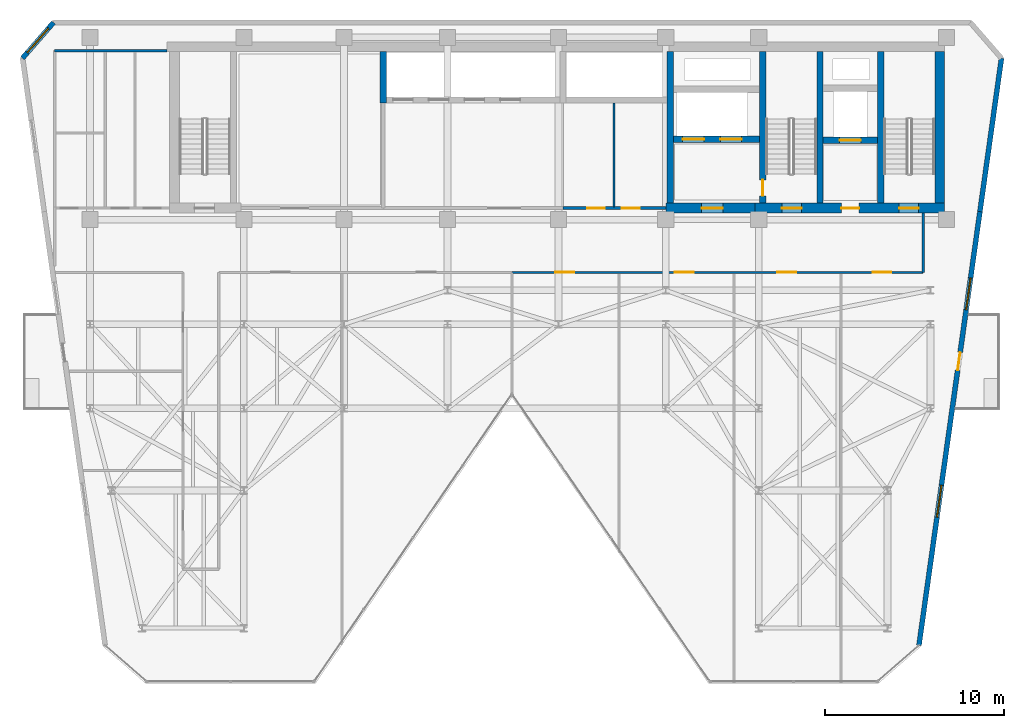
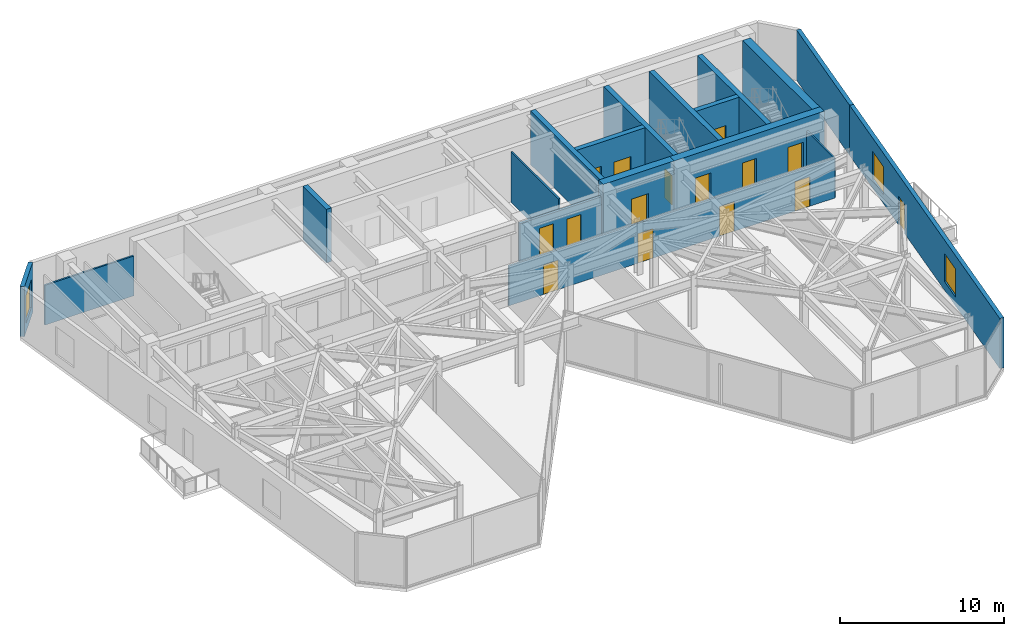
# One storey, part 17 of 21: 18 walls, 15 doors, 3 windows, 18 openings.
"""IFC4 building model written with IfcOpenShell, lengths in metres."""

from ifc_helpers import new_model, si_unit, direction, frame, frame_2d, origin, place, context, subcontext, project, spatial, rectangle, extrude, material, layer, layer_set, type_object, element, fill, save


model = new_model("IFC4")

# Units and contexts
model_context = context("Model", 3, precision=1e-05, world=origin(), true_north=direction((0.0, 1.0)))
body_context = subcontext(model_context, "Body", "Model", "MODEL_VIEW")
ifc_project = project(units=[si_unit("LENGTHUNIT", "METRE"), si_unit("AREAUNIT", "SQUARE_METRE"), si_unit("VOLUMEUNIT", "CUBIC_METRE"), si_unit("PLANEANGLEUNIT", "RADIAN"), si_unit("MASSUNIT", "GRAM", prefix="KILO")], contexts=[model_context])

# Site, building, storey
site_placement = place(None, origin())
site = spatial("IfcSite", under=ifc_project, at=site_placement, CompositionType="ELEMENT")
building_placement = place(site_placement, origin())
building = spatial("IfcBuilding", under=site, at=building_placement, Name="Kravanh Interchange Tower", CompositionType="ELEMENT")
storey_placement = place(building_placement, frame((0.0, 0.0, 216.5)))
storey = spatial("IfcBuildingStorey", under=building, at=storey_placement, Name="L52", CompositionType="ELEMENT", Elevation=216.5)

# Walls
ifc_material_1 = material(Name="Double Acoustic Gypsum Board and Mineral Wool")
ifc_layer_1 = layer(ifc_material_1, 0.1201171875)
ifc_layer_set_1 = layer_set([ifc_layer_1], Name="Acoustic Office Drywall Partition 120mm")
wall_type_1 = type_object("IfcWallType", Name="Acoustic Office Drywall Partition 120mm", PredefinedType="PARTITIONING", material=ifc_layer_set_1)
wall_1_placement = place(storey_placement, frame((47.89990234375, 38.068115234375, 0.0), z_axis=(0.0, 0.0, 1.0), x_axis=(0.0, 1.0, 0.0)))
element("IfcWall", 1, at=wall_1_placement, inside=storey, type_object=wall_type_1, Name="L52 Interior Partition 2", PredefinedType="PARTITIONING", context=body_context, shape_type="SweptSolid", body=[
    extrude(rectangle(XDim=5.798828125, YDim=0.1201171875, at=frame_2d((2.8994140625, 0.0))), origin(), (0.0, 0.0, 1.0), 3.7451171875),
])
wall_2_placement = place(storey_placement, frame((16.6201171875, 46.800048828125, 0.0), z_axis=(0.0, 0.0, 1.0), x_axis=(1.0, 0.0, 0.0)))
element("IfcWall", 2, at=wall_2_placement, inside=storey, type_object=wall_type_1, Name="L52 Restroom North Enclosure 8", PredefinedType="PARTITIONING", context=body_context, shape_type="SweptSolid", body=[
    extrude(rectangle(XDim=6.27978515625, YDim=0.1201171875, at=frame_2d((3.139892578125, 0.0))), origin(), (0.0, 0.0, 1.0), 2.971923828125),
])

# Wall, openings, doors
wall_3_placement = place(storey_placement, frame((42.199951171875, 34.39990234375, 0.0), z_axis=(0.0, 0.0, 1.0), x_axis=(1.0, 0.0, 0.0)))
wall_3 = element("IfcWall", 3, at=wall_3_placement, inside=storey, type_object=wall_type_1, Name="L52 Interior Partition 14", PredefinedType="PARTITIONING", context=body_context, shape_type="SweptSolid", body=[
    extrude(rectangle(XDim=23.0, YDim=0.1201171875, at=frame_2d((11.5, 0.0))), origin(), (0.0, 0.0, 1.0), 2.971923828125),
])
opening_1_placement = place(wall_3_placement, frame((2.4248046875, 0.0, 0.0)))
opening_1 = element("IfcOpeningElement", 4, at=opening_1_placement, cuts=wall_3, Name="Opening D-105", PredefinedType="OPENING", context=body_context, shape_type="SweptSolid", body=[
    extrude(rectangle(XDim=1.050048828125, YDim=2.199951171875, at=frame_2d((0.52490234375, 1.10009765625))), frame((0.0, 0.070068359375, 0.0), z_axis=(0.0, -1.0, 0.0), x_axis=(1.0, 0.0, 0.0)), (0.0, 0.0, 1.0), 0.14013671875),
])
opening_2_placement = place(wall_3_placement, frame((9.115966796875, 0.0, 0.0)))
opening_2 = element("IfcOpeningElement", 5, at=opening_2_placement, cuts=wall_3, Name="Opening D-105", PredefinedType="OPENING", context=body_context, shape_type="SweptSolid", body=[
    extrude(rectangle(XDim=1.050048828125, YDim=2.199951171875, at=frame_2d((0.52490234375, 1.10009765625))), frame((0.0, 0.070068359375, 0.0), z_axis=(0.0, -1.0, 0.0), x_axis=(1.0, 0.0, 0.0)), (0.0, 0.0, 1.0), 0.14013671875),
])
opening_3_placement = place(wall_3_placement, frame((14.8447265625, 0.0, 0.0)))
opening_3 = element("IfcOpeningElement", 6, at=opening_3_placement, cuts=wall_3, Name="Opening D-105", PredefinedType="OPENING", context=body_context, shape_type="SweptSolid", body=[
    extrude(rectangle(XDim=1.050048828125, YDim=2.199951171875, at=frame_2d((0.52490234375, 1.10009765625))), frame((0.0, 0.070068359375, 0.0), z_axis=(0.0, -1.0, 0.0), x_axis=(1.0, 0.0, 0.0)), (0.0, 0.0, 1.0), 0.14013671875),
])
opening_4_placement = place(wall_3_placement, frame((20.175048828125, 0.0, 0.0)))
opening_4 = element("IfcOpeningElement", 7, at=opening_4_placement, cuts=wall_3, Name="Opening D-105", PredefinedType="OPENING", context=body_context, shape_type="SweptSolid", body=[
    extrude(rectangle(XDim=1.050048828125, YDim=2.199951171875, at=frame_2d((0.52490234375, 1.10009765625))), frame((0.0, 0.070068359375, 0.0), z_axis=(0.0, -1.0, 0.0), x_axis=(1.0, 0.0, 0.0)), (0.0, 0.0, 1.0), 0.14013671875),
])
ifc_material_2 = material(Name="Acoustic Glazed Oak and Aluminium", Category="aluminium")
door_type_1 = type_object("IfcDoorType", Name="Office Workplace Door 1050x2200", OperationType="NOTDEFINED", PredefinedType="DOOR", material=ifc_material_2)
door_1_placement = place(opening_1_placement, origin())
door_1 = element("IfcDoor", 8, at=door_1_placement, inside=storey, type_object=door_type_1, Name="L52 Partner Office 14B Door", OperationType="SINGLE_SWING_RIGHT", OverallHeight=2.199951171875, OverallWidth=1.050048828125, PredefinedType="DOOR", context=body_context, shape_type="SweptSolid", body=[
    extrude(rectangle(XDim=1.050048828125, YDim=2.199951171875, at=frame_2d((0.52490234375, 1.10009765625))), frame((0.0, 0.02490234375, 0.0), z_axis=(0.0, -1.0, 0.0), x_axis=(1.0, 0.0, 0.0)), (0.0, 0.0, 1.0), 0.050048828125),
])
fill(opening_1, door_1)
door_2_placement = place(opening_2_placement, origin())
door_2 = element("IfcDoor", 9, at=door_2_placement, inside=storey, type_object=door_type_1, Name="L52 Focus Study 14A Door", OperationType="SINGLE_SWING_LEFT", OverallHeight=2.199951171875, OverallWidth=1.050048828125, PredefinedType="DOOR", context=body_context, shape_type="SweptSolid", body=[
    extrude(rectangle(XDim=1.050048828125, YDim=2.199951171875, at=frame_2d((0.52490234375, 1.10009765625))), frame((0.0, 0.02490234375, 0.0), z_axis=(0.0, -1.0, 0.0), x_axis=(1.0, 0.0, 0.0)), (0.0, 0.0, 1.0), 0.050048828125),
])
fill(opening_2, door_2)
door_3_placement = place(opening_3_placement, origin())
door_3 = element("IfcDoor", 10, at=door_3_placement, inside=storey, type_object=door_type_1, Name="L52 East Balcony Office 14C Door", OperationType="SINGLE_SWING_RIGHT", OverallHeight=2.199951171875, OverallWidth=1.050048828125, PredefinedType="DOOR", context=body_context, shape_type="SweptSolid", body=[
    extrude(rectangle(XDim=1.050048828125, YDim=2.199951171875, at=frame_2d((0.52490234375, 1.10009765625))), frame((0.0, 0.02490234375, 0.0), z_axis=(0.0, -1.0, 0.0), x_axis=(1.0, 0.0, 0.0)), (0.0, 0.0, 1.0), 0.050048828125),
])
fill(opening_3, door_3)
door_4_placement = place(opening_4_placement, origin())
door_4 = element("IfcDoor", 11, at=door_4_placement, inside=storey, type_object=door_type_1, Name="L52 East Pantry Kitchenette Door", OperationType="SINGLE_SWING_LEFT", OverallHeight=2.199951171875, OverallWidth=1.050048828125, PredefinedType="DOOR", context=body_context, shape_type="SweptSolid", body=[
    extrude(rectangle(XDim=1.050048828125, YDim=2.199951171875, at=frame_2d((0.52490234375, 1.10009765625))), frame((0.0, 0.02490234375, 0.0), z_axis=(0.0, -1.0, 0.0), x_axis=(1.0, 0.0, 0.0)), (0.0, 0.0, 1.0), 0.050048828125),
])
fill(opening_4, door_4)

# Walls
wall_4_placement = place(storey_placement, frame((65.199951171875, 34.39990234375, 0.0), z_axis=(0.0, 0.0, 1.0), x_axis=(0.0, 1.0, 0.0)))
element("IfcWall", 12, at=wall_4_placement, inside=storey, type_object=wall_type_1, Name="L52 Interior Partition 16", PredefinedType="PARTITIONING", context=body_context, shape_type="SweptSolid", body=[
    extrude(rectangle(XDim=3.317138671875, YDim=0.1201171875, at=frame_2d((1.65869140625, 0.0))), origin(), (0.0, 0.0, 1.0), 2.971923828125),
])
ifc_material_3 = material(Name="Concrete C60/75", Category="concrete")
ifc_layer_2 = layer(ifc_material_3, 0.35009765625)
ifc_layer_set_2 = layer_set([ifc_layer_2], Name="Core Shear Wall Concrete C60/75 350mm")
wall_type_2 = type_object("IfcWallType", Name="Core Shear Wall Concrete C60/75 350mm", PredefinedType="SHEAR", material=ifc_layer_set_2)
for number, where, z_axis, x_axis, name in (
    (13, (62.824951171875, 38.27490234375, 0.0), (0.0, 0.0, 1.0), (0.0, 1.0, 0.0), "L52 Stair ST1 West Shear Wall"),
    (14, (59.425048828125, 38.27490234375, 0.0), (0.0, 0.0, 1.0), (0.0, 1.0, 0.0), "L52 Stair ST2 East Shear Wall"),
):
    element("IfcWall", number, at=place(storey_placement, frame(where, z_axis=z_axis, x_axis=x_axis)), inside=storey, type_object=wall_type_2, Name=name, PredefinedType="SHEAR", context=body_context, shape_type="SweptSolid", body=[
        extrude(rectangle(XDim=8.47509765625, YDim=0.35009765625, at=frame_2d((4.237548828125, 0.0))), origin(), (0.0, 0.0, 1.0), 4.0),
    ])

# Wall, opening, door
wall_5_placement = place(storey_placement, frame((56.22509765625, 38.27490234375, 0.0), z_axis=(0.0, 0.0, 1.0), x_axis=(0.0, 1.0, 0.0)))
wall_5 = element("IfcWall", 15, at=wall_5_placement, inside=storey, type_object=wall_type_2, Name="L52 Stair ST2 West Shear Wall", PredefinedType="SHEAR", context=body_context, shape_type="SweptSolid", body=[
    extrude(rectangle(XDim=8.47509765625, YDim=0.35009765625, at=frame_2d((4.237548828125, 0.0))), origin(), (0.0, 0.0, 1.0), 4.0),
])
opening_5_placement = place(wall_5_placement, frame((0.405029296875, 0.0, 0.0)))
opening_5 = element("IfcOpeningElement", 16, at=opening_5_placement, cuts=wall_5, Name="Opening D-STAIR-90", PredefinedType="OPENING", context=body_context, shape_type="SweptSolid", body=[
    extrude(rectangle(XDim=0.89990234375, YDim=2.14990234375, at=frame_2d((0.449951171875, 1.074951171875))), frame((0.0, 0.18505859375, 0.0), z_axis=(0.0, -1.0, 0.0), x_axis=(1.0, 0.0, 0.0)), (0.0, 0.0, 1.0), 0.3701171875),
])
ifc_material_4 = material(Name="Structural Steel S355", Category="steel")
door_type_2 = type_object("IfcDoorType", Name="Fire-Rated Stair Lobby Door 900x2150", OperationType="NOTDEFINED", PredefinedType="DOOR", material=ifc_material_4)
door_5_placement = place(opening_5_placement, origin())
door_5 = element("IfcDoor", 17, at=door_5_placement, inside=storey, type_object=door_type_2, Name="L52 Firefighting Lobby to Stair ST2 Door", OperationType="SINGLE_SWING_LEFT", OverallHeight=2.14990234375, OverallWidth=0.89990234375, PredefinedType="DOOR", context=body_context, shape_type="SweptSolid", body=[
    extrude(rectangle(XDim=0.89990234375, YDim=2.14990234375, at=frame_2d((0.449951171875, 1.074951171875))), frame((0.0, 0.02490234375, 0.0), z_axis=(0.0, -1.0, 0.0), x_axis=(1.0, 0.0, 0.0)), (0.0, 0.0, 1.0), 0.050048828125),
])
fill(opening_5, door_5)

wall_6_placement = place(storey_placement, frame((59.60009765625, 41.800048828125, 0.0), z_axis=(0.0, 0.0, 1.0), x_axis=(1.0, 0.0, 0.0)))
wall_6 = element("IfcWall", 18, at=wall_6_placement, inside=storey, type_object=wall_type_2, Name="L52 Service Lift Shaft South Wall", PredefinedType="SHEAR", context=body_context, shape_type="SweptSolid", body=[
    extrude(rectangle(XDim=3.0498046875, YDim=0.35009765625, at=frame_2d((1.52490234375, 0.0))), origin(), (0.0, 0.0, 1.0), 4.0),
])
opening_6_placement = place(wall_6_placement, frame((0.919921875, 0.0, 0.0)))
opening_6 = element("IfcOpeningElement", 19, at=opening_6_placement, cuts=wall_6, Name="Opening LD02", PredefinedType="OPENING", context=body_context, shape_type="SweptSolid", body=[
    extrude(rectangle(XDim=1.199951171875, YDim=2.199951171875, at=frame_2d((0.60009765625, 1.10009765625))), frame((0.0, 0.18505859375, 0.0), z_axis=(0.0, -1.0, 0.0), x_axis=(1.0, 0.0, 0.0)), (0.0, 0.0, 1.0), 0.3701171875),
])
ifc_material_5 = material(Name="Stainless Steel 316", Category="steel")
door_type_3 = type_object("IfcDoorType", Name="Fire and Service Lift Sliding Landing Door 1200x2200", OperationType="DOUBLE_DOOR_SLIDING", PredefinedType="DOOR", material=ifc_material_5)
door_6_placement = place(opening_6_placement, origin())
door_6 = element("IfcDoor", 20, at=door_6_placement, inside=storey, type_object=door_type_3, Name="L52 Lift LS-01 Landing Door", OperationType="DOUBLE_DOOR_SLIDING", OverallHeight=2.199951171875, OverallWidth=1.199951171875, PredefinedType="DOOR", context=body_context, shape_type="SweptSolid", body=[
    extrude(rectangle(XDim=1.199951171875, YDim=2.199951171875, at=frame_2d((0.60009765625, 1.10009765625))), frame((0.0, 0.02490234375, 0.0), z_axis=(0.0, -1.0, 0.0), x_axis=(1.0, 0.0, 0.0)), (0.0, 0.0, 1.0), 0.050048828125),
])
fill(opening_6, door_6)

# Wall, openings, doors
wall_7_placement = place(storey_placement, frame((51.22509765625, 41.85009765625, 0.0), z_axis=(0.0, 0.0, 1.0), x_axis=(1.0, 0.0, 0.0)))
wall_7 = element("IfcWall", 21, at=wall_7_placement, inside=storey, type_object=wall_type_2, Name="L52 Fire Lift Shaft South Wall", PredefinedType="SHEAR", context=body_context, shape_type="SweptSolid", body=[
    extrude(rectangle(XDim=4.824951171875, YDim=0.35009765625, at=frame_2d((2.41259765625, 0.0))), origin(), (0.0, 0.0, 1.0), 4.0),
])
opening_7_placement = place(wall_7_placement, frame((0.52490234375, 0.0, 0.0)))
opening_7 = element("IfcOpeningElement", 22, at=opening_7_placement, cuts=wall_7, Name="Opening LD02", PredefinedType="OPENING", context=body_context, shape_type="SweptSolid", body=[
    extrude(rectangle(XDim=1.199951171875, YDim=2.199951171875, at=frame_2d((0.60009765625, 1.10009765625))), frame((0.0, 0.18505859375, 0.0), z_axis=(0.0, -1.0, 0.0), x_axis=(1.0, 0.0, 0.0)), (0.0, 0.0, 1.0), 0.3701171875),
])
opening_8_placement = place(wall_7_placement, frame((2.625, 0.0, 0.0)))
opening_8 = element("IfcOpeningElement", 23, at=opening_8_placement, cuts=wall_7, Name="Opening LD02", PredefinedType="OPENING", context=body_context, shape_type="SweptSolid", body=[
    extrude(rectangle(XDim=1.199951171875, YDim=2.199951171875, at=frame_2d((0.60009765625, 1.10009765625))), frame((0.0, 0.18505859375, 0.0), z_axis=(0.0, -1.0, 0.0), x_axis=(1.0, 0.0, 0.0)), (0.0, 0.0, 1.0), 0.3701171875),
])
door_7_placement = place(opening_7_placement, origin())
door_7 = element("IfcDoor", 24, at=door_7_placement, inside=storey, type_object=door_type_3, Name="L52 Lift FSAE-01 Landing Door", OperationType="DOUBLE_DOOR_SLIDING", OverallHeight=2.199951171875, OverallWidth=1.199951171875, PredefinedType="DOOR", context=body_context, shape_type="SweptSolid", body=[
    extrude(rectangle(XDim=1.199951171875, YDim=2.199951171875, at=frame_2d((0.60009765625, 1.10009765625))), frame((0.0, 0.02490234375, 0.0), z_axis=(0.0, -1.0, 0.0), x_axis=(1.0, 0.0, 0.0)), (0.0, 0.0, 1.0), 0.050048828125),
])
fill(opening_7, door_7)
door_8_placement = place(opening_8_placement, origin())
door_8 = element("IfcDoor", 25, at=door_8_placement, inside=storey, type_object=door_type_3, Name="L52 Lift FSAE-02 Landing Door", OperationType="DOUBLE_DOOR_SLIDING", OverallHeight=2.199951171875, OverallWidth=1.199951171875, PredefinedType="DOOR", context=body_context, shape_type="SweptSolid", body=[
    extrude(rectangle(XDim=1.199951171875, YDim=2.199951171875, at=frame_2d((0.60009765625, 1.10009765625))), frame((0.0, 0.02490234375, 0.0), z_axis=(0.0, -1.0, 0.0), x_axis=(1.0, 0.0, 0.0)), (0.0, 0.0, 1.0), 0.050048828125),
])
fill(opening_8, door_8)

# Walls
wall_8_placement = place(storey_placement, frame((51.050048828125, 38.27490234375, 0.0), z_axis=(0.0, 0.0, 1.0), x_axis=(0.0, 1.0, 0.0)))
element("IfcWall", 26, at=wall_8_placement, inside=storey, type_object=wall_type_2, Name="L52 Firefighting Lobby West Wall", PredefinedType="SHEAR", context=body_context, shape_type="SweptSolid", body=[
    extrude(rectangle(XDim=8.47509765625, YDim=0.35009765625, at=frame_2d((4.237548828125, 0.0))), origin(), (0.0, 0.0, 1.0), 4.0),
])
wall_9_placement = place(storey_placement, frame((35.0, 43.875, 0.0), z_axis=(0.0, 0.0, 1.0), x_axis=(0.0, 1.0, 0.0)))
element("IfcWall", 27, at=wall_9_placement, inside=storey, type_object=wall_type_2, Name="L52 Mid-Rise Lift Shaft West Wall", PredefinedType="SHEAR", context=body_context, shape_type="SweptSolid", body=[
    extrude(rectangle(XDim=2.875, YDim=0.35009765625, at=frame_2d((1.4375, 0.0))), origin(), (0.0, 0.0, 1.0), 4.0),
])

# Wall, openings, doors
ifc_material_6 = material(Name="Concrete C70/85", Category="concrete")
ifc_layer_3 = layer(ifc_material_6, 0.550048828125)
ifc_layer_set_3 = layer_set([ifc_layer_3], Name="Core Shear Wall Concrete C70/85 550mm")
wall_type_3 = type_object("IfcWallType", Name="Core Shear Wall Concrete C70/85 550mm", PredefinedType="SHEAR", material=ifc_layer_set_3)
wall_10_placement = place(storey_placement, frame((55.800048828125, 38.0, 0.0), z_axis=(0.0, 0.0, 1.0), x_axis=(1.0, 0.0, 0.0)))
wall_10 = element("IfcWall", 28, at=wall_10_placement, inside=storey, type_object=wall_type_3, Name="L52 East Core South Shear Wall", PredefinedType="SHEAR", context=body_context, shape_type="SweptSolid", body=[
    extrude(rectangle(XDim=10.599853515625, YDim=0.550048828125, at=frame_2d((5.2998046875, 0.0))), origin(), (0.0, 0.0, 1.0), 4.0),
])
opening_9_placement = place(wall_10_placement, frame((1.5, 0.0, 0.0)))
opening_9 = element("IfcOpeningElement", 29, at=opening_9_placement, cuts=wall_10, Name="Opening D-STAIR-110", PredefinedType="OPENING", context=body_context, shape_type="SweptSolid", body=[
    extrude(rectangle(XDim=1.10009765625, YDim=2.199951171875, at=frame_2d((0.550048828125, 1.10009765625))), frame((0.0, 0.28515625, 0.0), z_axis=(0.0, -1.0, 0.0), x_axis=(1.0, 0.0, 0.0)), (0.0, 0.0, 1.0), 0.570068359375),
])
opening_10_placement = place(wall_10_placement, frame((4.820068359375, 0.0, 0.0)))
opening_10 = element("IfcOpeningElement", 30, at=opening_10_placement, cuts=wall_10, Name="Opening D-HOTEL-100", PredefinedType="OPENING", context=body_context, shape_type="SweptSolid", body=[
    extrude(rectangle(XDim=1.0, YDim=2.14990234375, at=frame_2d((0.5, 1.074951171875))), frame((0.0, 0.28515625, 0.0), z_axis=(0.0, -1.0, 0.0), x_axis=(1.0, 0.0, 0.0)), (0.0, 0.0, 1.0), 0.570068359375),
])
opening_11_placement = place(wall_10_placement, frame((8.050048828125, 0.0, 0.0)))
opening_11 = element("IfcOpeningElement", 31, at=opening_11_placement, cuts=wall_10, Name="Opening D-STAIR-110", PredefinedType="OPENING", context=body_context, shape_type="SweptSolid", body=[
    extrude(rectangle(XDim=1.10009765625, YDim=2.199951171875, at=frame_2d((0.550048828125, 1.10009765625))), frame((0.0, 0.28515625, 0.0), z_axis=(0.0, -1.0, 0.0), x_axis=(1.0, 0.0, 0.0)), (0.0, 0.0, 1.0), 0.570068359375),
])
ifc_material_7 = material(Name="Structural Steel S355", Category="steel")
door_type_4 = type_object("IfcDoorType", Name="Fire-Rated Exit Stair Door 1100x2200", OperationType="NOTDEFINED", PredefinedType="DOOR", material=ifc_material_7)
door_9_placement = place(opening_9_placement, origin())
door_9 = element("IfcDoor", 32, at=door_9_placement, inside=storey, type_object=door_type_4, Name="L52 Exit Stair ST2 Door", OperationType="SINGLE_SWING_RIGHT", OverallHeight=2.199951171875, OverallWidth=1.10009765625, PredefinedType="DOOR", context=body_context, shape_type="SweptSolid", body=[
    extrude(rectangle(XDim=1.10009765625, YDim=2.199951171875, at=frame_2d((0.550048828125, 1.10009765625))), frame((0.0, 0.02490234375, 0.0), z_axis=(0.0, -1.0, 0.0), x_axis=(1.0, 0.0, 0.0)), (0.0, 0.0, 1.0), 0.050048828125),
])
fill(opening_9, door_9)
door_10_placement = place(opening_11_placement, origin())
door_10 = element("IfcDoor", 33, at=door_10_placement, inside=storey, type_object=door_type_4, Name="L52 Exit Stair ST1 Door", OperationType="SINGLE_SWING_RIGHT", OverallHeight=2.199951171875, OverallWidth=1.10009765625, PredefinedType="DOOR", context=body_context, shape_type="SweptSolid", body=[
    extrude(rectangle(XDim=1.10009765625, YDim=2.199951171875, at=frame_2d((0.550048828125, 1.10009765625))), frame((0.0, 0.02490234375, 0.0), z_axis=(0.0, -1.0, 0.0), x_axis=(1.0, 0.0, 0.0)), (0.0, 0.0, 1.0), 0.050048828125),
])
fill(opening_11, door_10)
ifc_material_8 = material(Name="Fire-Rated Solid Timber Leaf", Category="wood")
door_type_5 = type_object("IfcDoorType", Name="Fire-Rated Suite Entrance Door 1000x2150", OperationType="NOTDEFINED", PredefinedType="DOOR", material=ifc_material_8)
door_11_placement = place(opening_10_placement, origin())
door_11 = element("IfcDoor", 34, at=door_11_placement, inside=storey, type_object=door_type_5, Name="L52 Service Lift Lobby Door", OperationType="SINGLE_SWING_RIGHT", OverallHeight=2.14990234375, OverallWidth=1.0, PredefinedType="DOOR", context=body_context, shape_type="SweptSolid", body=[
    extrude(rectangle(XDim=1.0, YDim=2.14990234375, at=frame_2d((0.5, 1.074951171875))), frame((0.0, 0.02490234375, 0.0), z_axis=(0.0, -1.0, 0.0), x_axis=(1.0, 0.0, 0.0)), (0.0, 0.0, 1.0), 0.050048828125),
])
fill(opening_10, door_11)

# Wall
wall_11_placement = place(storey_placement, frame((66.125, 38.27490234375, 0.0), z_axis=(0.0, 0.0, 1.0), x_axis=(0.0, 1.0, 0.0)))
element("IfcWall", 35, at=wall_11_placement, inside=storey, type_object=wall_type_3, Name="L52 Stair ST1 East Shear Wall", PredefinedType="SHEAR", context=body_context, shape_type="SweptSolid", body=[
    extrude(rectangle(XDim=8.47509765625, YDim=0.550048828125, at=frame_2d((4.237548828125, 0.0))), origin(), (0.0, 0.0, 1.0), 4.0),
])

# Wall, opening, door
wall_12_placement = place(storey_placement, frame((50.800048828125, 38.0, 0.0), z_axis=(0.0, 0.0, 1.0), x_axis=(1.0, 0.0, 0.0)))
wall_12 = element("IfcWall", 36, at=wall_12_placement, inside=storey, type_object=wall_type_3, Name="L52 Firefighting Lobby South Shear Wall", PredefinedType="SHEAR", context=body_context, shape_type="SweptSolid", body=[
    extrude(rectangle(XDim=5.0, YDim=0.550048828125, at=frame_2d((2.5, 0.0))), origin(), (0.0, 0.0, 1.0), 4.0),
])
opening_12_placement = place(wall_12_placement, frame((2.0, 0.0, 0.0)))
opening_12 = element("IfcOpeningElement", 37, at=opening_12_placement, cuts=wall_12, Name="Opening D-FSAE-120", PredefinedType="OPENING", context=body_context, shape_type="SweptSolid", body=[
    extrude(rectangle(XDim=1.199951171875, YDim=2.199951171875, at=frame_2d((0.60009765625, 1.10009765625))), frame((0.0, 0.28515625, 0.0), z_axis=(0.0, -1.0, 0.0), x_axis=(1.0, 0.0, 0.0)), (0.0, 0.0, 1.0), 0.570068359375),
])
ifc_material_9 = material(Name="Structural Steel S355", Category="steel")
door_type_6 = type_object("IfcDoorType", Name="Fire-Rated Refuge and FSAE Door 1200x2200", OperationType="NOTDEFINED", PredefinedType="DOOR", material=ifc_material_9)
door_12_placement = place(opening_12_placement, origin())
door_12 = element("IfcDoor", 38, at=door_12_placement, inside=storey, type_object=door_type_6, Name="L52 Firefighting Lobby Corridor Door", OperationType="SINGLE_SWING_RIGHT", OverallHeight=2.199951171875, OverallWidth=1.199951171875, PredefinedType="DOOR", context=body_context, shape_type="SweptSolid", body=[
    extrude(rectangle(XDim=1.199951171875, YDim=2.199951171875, at=frame_2d((0.60009765625, 1.10009765625))), frame((0.0, 0.02490234375, 0.0), z_axis=(0.0, -1.0, 0.0), x_axis=(1.0, 0.0, 0.0)), (0.0, 0.0, 1.0), 0.050048828125),
])
fill(opening_12, door_12)

# Wall, opening, window
ifc_material_10 = material(Name="Insulated Precast Concrete C40/50 with Bronze Cladding", Category="concrete")
ifc_layer_4 = layer(ifc_material_10, 0.280029296875)
ifc_layer_set_4 = layer_set([ifc_layer_4], Name="Exterior Insulated Concrete C40/50 Bronze Spandrel Wall 280mm")
wall_type_4 = type_object("IfcWallType", Name="Exterior Insulated Concrete C40/50 Bronze Spandrel Wall 280mm", PredefinedType="STANDARD", material=ifc_layer_set_4)
wall_13_placement = place(storey_placement, frame((14.818603515625, 46.3828125, 0.0), z_axis=(0.0, 0.0, 1.0), x_axis=(0.656071351282, 0.754698868442, 0.0)))
wall_13 = element("IfcWall", 39, at=wall_13_placement, inside=storey, type_object=wall_type_4, Name="L52 Exterior Wall 3", PredefinedType="STANDARD", context=body_context, shape_type="SweptSolid", body=[
    extrude(rectangle(XDim=2.646240234375, YDim=0.280029296875, at=frame_2d((1.3232421875, 0.0))), origin(), (0.0, 0.0, 1.0), 3.7451171875),
])
opening_13_placement = place(wall_13_placement, frame((0.41552734375, 0.0, 0.64990234375)))
opening_13 = element("IfcOpeningElement", 40, at=opening_13_placement, cuts=wall_13, Name="Opening WN-180X210", PredefinedType="OPENING", context=body_context, shape_type="SweptSolid", body=[
    extrude(rectangle(XDim=1.800048828125, YDim=2.10009765625, at=frame_2d((0.89990234375, 1.050048828125))), frame((0.0, 0.14990234375, 0.0), z_axis=(0.0, -1.0, 0.0), x_axis=(1.0, 0.0, 0.0)), (0.0, 0.0, 1.0), 0.300048828125),
])
ifc_material_11 = material(Name="Thermally Broken Bronze Aluminium and Low-E Glass", Category="aluminium")
window_type = type_object("IfcWindowType", Name="Tower Pier Window 1800x2100", PartitioningType="SINGLE_PANEL", PredefinedType="WINDOW", material=ifc_material_11)
window_1_placement = place(opening_13_placement, origin())
window_1 = element("IfcWindow", 41, at=window_1_placement, inside=storey, type_object=window_type, Name="L52 Corner Window 3", OverallHeight=2.10009765625, OverallWidth=1.800048828125, PartitioningType="SINGLE_PANEL", PredefinedType="WINDOW", context=body_context, shape_type="SweptSolid", body=[
    extrude(rectangle(XDim=1.800048828125, YDim=2.10009765625, at=frame_2d((0.89990234375, 1.050048828125))), frame((0.0, 0.030029296875, 0.0), z_axis=(0.0, -1.0, 0.0), x_axis=(1.0, 0.0, 0.0)), (0.0, 0.0, 1.0), 0.06005859375),
])
fill(opening_13, window_1)

# Wall
wall_14_placement = place(storey_placement, frame((69.581298828125, 46.3828125, 0.0), z_axis=(0.0, 0.0, 1.0), x_axis=(-0.13918102754, -0.990266954701, 0.0)))
element("IfcWall", 42, at=wall_14_placement, inside=storey, type_object=wall_type_4, Name="L52 Exterior Wall 6", PredefinedType="STANDARD", context=body_context, shape_type="SweptSolid", body=[
    extrude(rectangle(XDim=8.667236328125, YDim=0.280029296875, at=frame_2d((4.33349609375, 0.0))), origin(), (0.0, 0.0, 1.0), 3.7451171875),
])

# Wall, openings, door, windows
wall_15_placement = place(storey_placement, frame((68.375, 37.800048828125, 0.0), z_axis=(0.0, 0.0, 1.0), x_axis=(-0.139173290738, -0.99026804207, 0.0)))
wall_15 = element("IfcWall", 43, at=wall_15_placement, inside=storey, type_object=wall_type_4, Name="L52 Exterior Wall 7", PredefinedType="STANDARD", context=body_context, shape_type="SweptSolid", body=[
    extrude(rectangle(XDim=24.497802734375, YDim=0.280029296875, at=frame_2d((12.2490234375, 0.0))), origin(), (0.0, 0.0, 1.0), 3.7451171875),
])
opening_14_placement = place(wall_15_placement, frame((7.95556640625, 0.0, 0.0)))
opening_14 = element("IfcOpeningElement", 44, at=opening_14_placement, cuts=wall_15, Name="Opening ED-BAL100", PredefinedType="OPENING", context=body_context, shape_type="SweptSolid", body=[
    extrude(rectangle(XDim=1.0, YDim=2.14990234375, at=frame_2d((0.5, 1.074951171875))), frame((0.0, 0.14990234375, 0.0), z_axis=(0.0, -1.0, 0.0), x_axis=(1.0, 0.0, 0.0)), (0.0, 0.0, 1.0), 0.300048828125),
])
opening_15_placement = place(wall_15_placement, frame((3.74853515625, 0.0, 0.64990234375)))
opening_15 = element("IfcOpeningElement", 45, at=opening_15_placement, cuts=wall_15, Name="Opening WN-180X210", PredefinedType="OPENING", context=body_context, shape_type="SweptSolid", body=[
    extrude(rectangle(XDim=1.800048828125, YDim=2.10009765625, at=frame_2d((0.89990234375, 1.050048828125))), frame((0.0, 0.14990234375, 0.0), z_axis=(0.0, -1.0, 0.0), x_axis=(1.0, 0.0, 0.0)), (0.0, 0.0, 1.0), 0.300048828125),
])
opening_16_placement = place(wall_15_placement, frame((15.45068359375, 0.0, 0.64990234375)))
opening_16 = element("IfcOpeningElement", 46, at=opening_16_placement, cuts=wall_15, Name="Opening WN-180X210", PredefinedType="OPENING", context=body_context, shape_type="SweptSolid", body=[
    extrude(rectangle(XDim=1.800048828125, YDim=2.10009765625, at=frame_2d((0.89990234375, 1.050048828125))), frame((0.0, 0.14990234375, 0.0), z_axis=(0.0, -1.0, 0.0), x_axis=(1.0, 0.0, 0.0)), (0.0, 0.0, 1.0), 0.300048828125),
])
ifc_material_12 = material(Name="Thermally Broken Bronze Aluminium and Laminated Glass", Category="aluminium")
door_type_7 = type_object("IfcDoorType", Name="Balcony Glazed Door 1000x2150", OperationType="NOTDEFINED", PredefinedType="DOOR", material=ifc_material_12)
door_13_placement = place(opening_14_placement, origin())
door_13 = element("IfcDoor", 47, at=door_13_placement, inside=storey, type_object=door_type_7, Name="L52 E Tree Balcony Access Door", OperationType="SINGLE_SWING_LEFT", OverallHeight=2.14990234375, OverallWidth=1.0, PredefinedType="DOOR", context=body_context, shape_type="SweptSolid", body=[
    extrude(rectangle(XDim=1.0, YDim=2.14990234375, at=frame_2d((0.5, 1.074951171875))), frame((0.0, 0.02490234375, 0.0), z_axis=(0.0, -1.0, 0.0), x_axis=(1.0, 0.0, 0.0)), (0.0, 0.0, 1.0), 0.050048828125),
])
fill(opening_14, door_13)
window_2_placement = place(opening_15_placement, origin())
window_2 = element("IfcWindow", 48, at=window_2_placement, inside=storey, type_object=window_type, Name="L52 Facade Window 7A", OverallHeight=2.10009765625, OverallWidth=1.800048828125, PartitioningType="SINGLE_PANEL", PredefinedType="WINDOW", context=body_context, shape_type="SweptSolid", body=[
    extrude(rectangle(XDim=1.800048828125, YDim=2.10009765625, at=frame_2d((0.89990234375, 1.050048828125))), frame((0.0, 0.030029296875, 0.0), z_axis=(0.0, -1.0, 0.0), x_axis=(1.0, 0.0, 0.0)), (0.0, 0.0, 1.0), 0.06005859375),
])
fill(opening_15, window_2)
window_3_placement = place(opening_16_placement, origin())
window_3 = element("IfcWindow", 49, at=window_3_placement, inside=storey, type_object=window_type, Name="L52 Facade Window 7B", OverallHeight=2.10009765625, OverallWidth=1.800048828125, PartitioningType="SINGLE_PANEL", PredefinedType="WINDOW", context=body_context, shape_type="SweptSolid", body=[
    extrude(rectangle(XDim=1.800048828125, YDim=2.10009765625, at=frame_2d((0.89990234375, 1.050048828125))), frame((0.0, 0.030029296875, 0.0), z_axis=(0.0, -1.0, 0.0), x_axis=(1.0, 0.0, 0.0)), (0.0, 0.0, 1.0), 0.06005859375),
])
fill(opening_16, window_3)

# Wall, openings, doors
ifc_material_13 = material(Name="Autoclaved Aerated Concrete C30/37 Blockwork", Category="masonry")
ifc_layer_5 = layer(ifc_material_13, 0.179931640625)
ifc_layer_set_5 = layer_set([ifc_layer_5], Name="Fire-Rated Lobby and Corridor Wall Concrete C30/37 180mm")
wall_type_5 = type_object("IfcWallType", Name="Fire-Rated Lobby and Corridor Wall Concrete C30/37 180mm", PredefinedType="STANDARD", material=ifc_layer_set_5)
wall_16_placement = place(storey_placement, frame((45.050048828125, 38.0, 0.0), z_axis=(0.0, 0.0, 1.0), x_axis=(1.0, 0.0, 0.0)))
wall_16 = element("IfcWall", 50, at=wall_16_placement, inside=storey, type_object=wall_type_5, Name="L52 Core South Enclosure 1", PredefinedType="STANDARD", context=body_context, shape_type="SweptSolid", body=[
    extrude(rectangle(XDim=5.75, YDim=0.179931640625, at=frame_2d((2.875, 0.0))), origin(), (0.0, 0.0, 1.0), 2.971923828125),
])
opening_17_placement = place(wall_16_placement, frame((1.35009765625, 0.0, 0.0)))
opening_17 = element("IfcOpeningElement", 51, at=opening_17_placement, cuts=wall_16, Name="Opening D-HOTEL-100", PredefinedType="OPENING", context=body_context, shape_type="SweptSolid", body=[
    extrude(rectangle(XDim=1.0, YDim=2.14990234375, at=frame_2d((0.5, 1.074951171875))), frame((0.0, 0.10009765625, 0.0), z_axis=(0.0, -1.0, 0.0), x_axis=(1.0, 0.0, 0.0)), (0.0, 0.0, 1.0), 0.199951171875),
])
opening_18_placement = place(wall_16_placement, frame((3.300048828125, 0.0, 0.0)))
opening_18 = element("IfcOpeningElement", 52, at=opening_18_placement, cuts=wall_16, Name="Opening D-HOTEL-100", PredefinedType="OPENING", context=body_context, shape_type="SweptSolid", body=[
    extrude(rectangle(XDim=1.0, YDim=2.14990234375, at=frame_2d((0.5, 1.074951171875))), frame((0.0, 0.10009765625, 0.0), z_axis=(0.0, -1.0, 0.0), x_axis=(1.0, 0.0, 0.0)), (0.0, 0.0, 1.0), 0.199951171875),
])
door_14_placement = place(opening_17_placement, origin())
door_14 = element("IfcDoor", 53, at=door_14_placement, inside=storey, type_object=door_type_5, Name="L52 Core Switchroom Door", OperationType="SINGLE_SWING_RIGHT", OverallHeight=2.14990234375, OverallWidth=1.0, PredefinedType="DOOR", context=body_context, shape_type="SweptSolid", body=[
    extrude(rectangle(XDim=1.0, YDim=2.14990234375, at=frame_2d((0.5, 1.074951171875))), frame((0.0, 0.02490234375, 0.0), z_axis=(0.0, -1.0, 0.0), x_axis=(1.0, 0.0, 0.0)), (0.0, 0.0, 1.0), 0.050048828125),
])
fill(opening_17, door_14)
door_15_placement = place(opening_18_placement, origin())
door_15 = element("IfcDoor", 54, at=door_15_placement, inside=storey, type_object=door_type_5, Name="L52 Core Archive Door", OperationType="SINGLE_SWING_LEFT", OverallHeight=2.14990234375, OverallWidth=1.0, PredefinedType="DOOR", context=body_context, shape_type="SweptSolid", body=[
    extrude(rectangle(XDim=1.0, YDim=2.14990234375, at=frame_2d((0.5, 1.074951171875))), frame((0.0, 0.02490234375, 0.0), z_axis=(0.0, -1.0, 0.0), x_axis=(1.0, 0.0, 0.0)), (0.0, 0.0, 1.0), 0.050048828125),
])
fill(opening_18, door_15)

save(model, "model.ifc")
